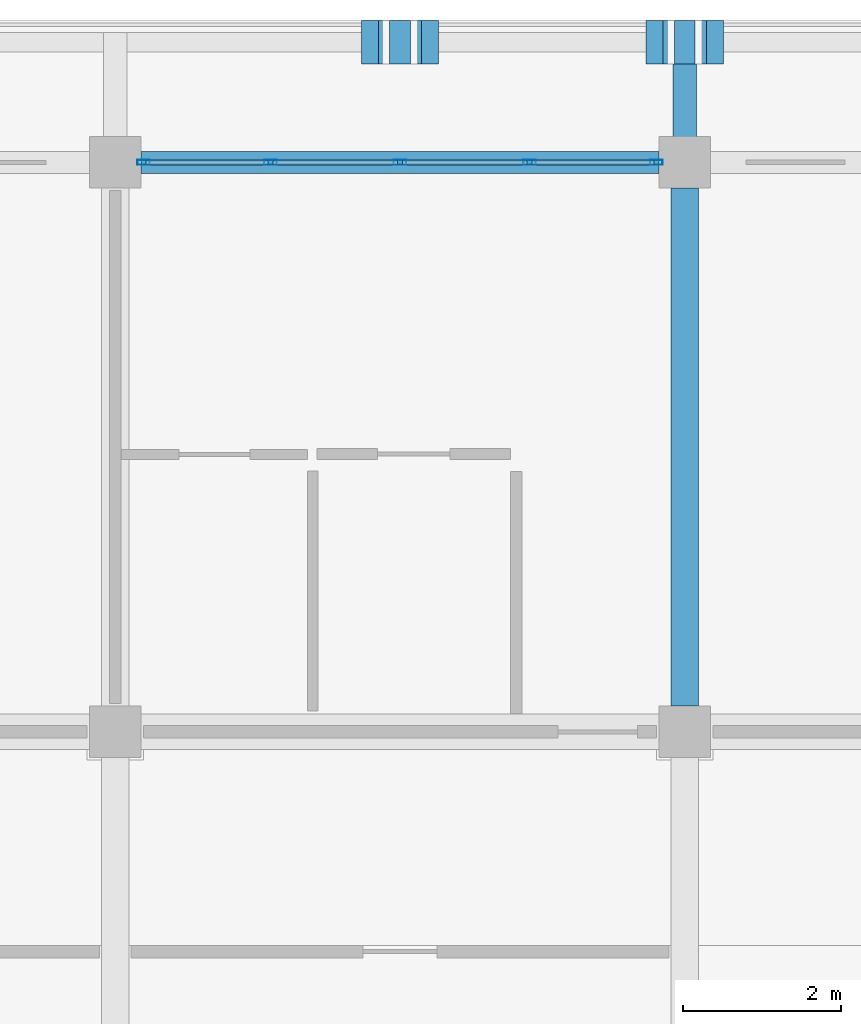
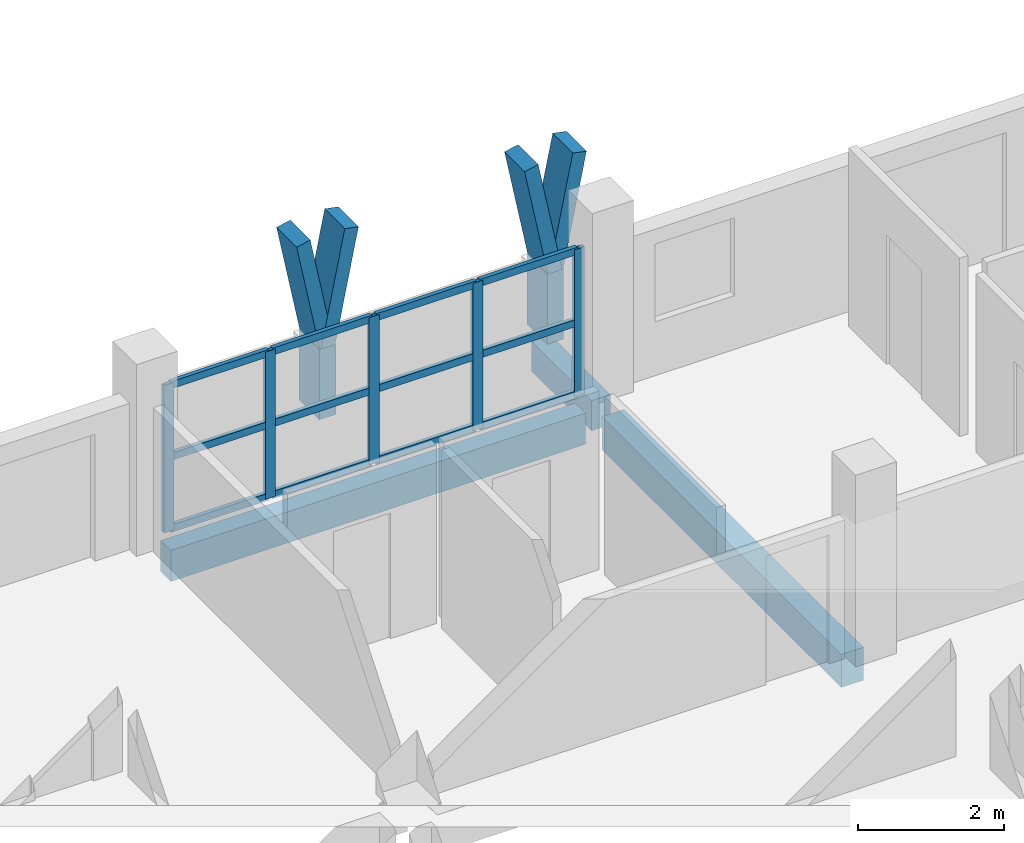
# One storey, part 12 of 76: 23 members, 3 beams, 1 element without a shape of its own.
"""IFC4 building model written with IfcOpenShell, lengths in metres."""

from ifc_helpers import new_model, si_unit, direction, frame, origin, origin_2d, place, context, subcontext, project, spatial, rectangle, hollow_rectangle, extrude, material, material_profile, profile_set, type_object, element, aggregate, save


model = new_model("IFC4")

# Units and contexts
model_context = context("Model", 3, precision=1e-05, world=origin(), true_north=direction((0.0, 1.0)))
body_context = subcontext(model_context, "Body", "Model", "MODEL_VIEW")
ifc_project = project(units=[si_unit("LENGTHUNIT", "METRE"), si_unit("AREAUNIT", "SQUARE_METRE"), si_unit("VOLUMEUNIT", "CUBIC_METRE"), si_unit("PLANEANGLEUNIT", "RADIAN"), si_unit("MASSUNIT", "GRAM", prefix="KILO")], contexts=[model_context])

# Site, building, storey
site_placement = place(None, origin())
site = spatial("IfcSite", under=ifc_project, at=site_placement, CompositionType="ELEMENT")
building_placement = place(site_placement, origin())
building = spatial("IfcBuilding", under=site, at=building_placement, Name="Suanplinth Sawtooth Commons", CompositionType="ELEMENT")
storey_placement = place(building_placement, frame((0.0, 0.0, 12.199951171875)))
storey = spatial("IfcBuildingStorey", under=building, at=storey_placement, Name="L03", CompositionType="ELEMENT", Elevation=12.199951171875)

# Beams
ifc_material_1 = material(Name="Precast concrete C40/50", Category="concrete")
ifc_material_profile_1 = material_profile(ifc_material_1, rectangle(XDim=0.35009765625, YDim=0.550048828125, at=origin_2d()), Name="PC-BM 350x550")
ifc_profile_set_1 = profile_set([ifc_material_profile_1], Name="Precast concrete C40/50")
beam_type_1 = type_object("IfcBeamType", Name="B-06", PredefinedType="BEAM", material=ifc_profile_set_1)
beam_1_placement = place(storey_placement, frame((43.199951171875, 115.52490234375, -0.514892578125), z_axis=(0.0, 1.0, 0.0), x_axis=(-1.0, 0.0, 0.0)))
element("IfcBeam", 1, at=beam_1_placement, inside=storey, type_object=beam_type_1, Name="BMY-L03-A-6-16", PredefinedType="BEAM", context=body_context, shape_type="SweptSolid", body=[
    extrude(rectangle(XDim=0.35009765625, YDim=0.550048828125, at=origin_2d()), origin(), (0.0, 0.0, 1.0), 6.550048828125),
])
ifc_material_profile_2 = material_profile(ifc_material_1, rectangle(XDim=0.300048828125, YDim=0.5, at=origin_2d()), Name="PC-BM 300x500")
ifc_profile_set_2 = profile_set([ifc_material_profile_2], Name="Precast concrete C40/50")
beam_type_2 = type_object("IfcBeamType", Name="B-07", PredefinedType="BEAM", material=ifc_profile_set_2)
beam_2_placement = place(storey_placement, frame((43.199951171875, 122.39990234375, -0.429931640625), z_axis=(0.0, 1.0, 0.0), x_axis=(-1.0, 0.0, 0.0)))
element("IfcBeam", 2, at=beam_2_placement, inside=storey, type_object=beam_type_2, Name="Balcony Outrigger L03-A-N-6", PredefinedType="BEAM", context=body_context, shape_type="SweptSolid", body=[
    extrude(rectangle(XDim=0.300048828125, YDim=0.5, at=origin_2d()), origin(), (0.0, 0.0, 1.0), 1.64013671875),
])
ifc_material_profile_3 = material_profile(ifc_material_1, rectangle(XDim=0.280029296875, YDim=0.52001953125, at=origin_2d()), Name="PC-SP 280x520")
ifc_profile_set_3 = profile_set([ifc_material_profile_3], Name="Precast concrete C40/50")
beam_type_3 = type_object("IfcBeamType", Name="B-08", PredefinedType="SPANDREL", material=ifc_profile_set_3)
beam_3_placement = place(storey_placement, frame((36.324951171875, 122.39990234375, -0.5), z_axis=(1.0, 0.0, 0.0), x_axis=(0.0, 1.0, 0.0)))
element("IfcBeam", 3, at=beam_3_placement, inside=storey, type_object=beam_type_3, Name="BMX-L03-A-5-17", PredefinedType="SPANDREL", context=body_context, shape_type="SweptSolid", body=[
    extrude(rectangle(XDim=0.280029296875, YDim=0.52001953125, at=origin_2d()), origin(), (0.0, 0.0, 1.0), 6.550048828125),
])

# Members
ifc_material_2 = material(Name="Pigmented precast concrete C40/50", Category="concrete")
ifc_material_profile_4 = material_profile(ifc_material_2, rectangle(XDim=0.260009765625, YDim=0.550048828125, at=origin_2d()), Name="PC-FIN 260x550")
ifc_profile_set_4 = profile_set([ifc_material_profile_4], Name="Pigmented precast concrete C40/50")
member_type_1 = type_object("IfcMemberType", Name="M-09", PredefinedType="USERDEFINED", material=ifc_profile_set_4)
for number, where, z_axis, x_axis, name in (
    (4, (39.60009765625, 123.919921875, 0.0), (0.0, 0.0, 1.0), (1.0, 0.0, 0.0), "Y-Blade Stem L03-A-N-04"),
    (5, (43.199951171875, 123.919921875, 0.0), (0.0, 0.0, 1.0), (1.0, 0.0, 0.0), "Y-Blade Stem L03-A-N-05"),
):
    element("IfcMember", number, at=place(storey_placement, frame(where, z_axis=z_axis, x_axis=x_axis)), inside=storey, type_object=member_type_1, Name=name, ObjectType="SHADING FIN", PredefinedType="USERDEFINED", context=body_context, shape_type="SweptSolid", body=[
        extrude(rectangle(XDim=0.260009765625, YDim=0.550048828125, at=origin_2d()), origin(), (0.0, 0.0, 1.0), 1.170166015625),
    ])
ifc_material_profile_5 = material_profile(ifc_material_2, rectangle(XDim=0.219970703125, YDim=0.550048828125, at=origin_2d()), Name="PC-FIN 220x550")
ifc_profile_set_5 = profile_set([ifc_material_profile_5], Name="Pigmented precast concrete C40/50")
member_type_2 = type_object("IfcMemberType", Name="M-10", PredefinedType="USERDEFINED", material=ifc_profile_set_5)
member_1_placement = place(storey_placement, frame((39.60009765625, 123.919921875, 1.130126953125), z_axis=(-0.196431120402, 0.0, 0.980517626021), x_axis=(0.980517626021, 0.0, 0.196431120402)))
element("IfcMember", 6, at=member_1_placement, inside=storey, type_object=member_type_2, Name="Y-Blade Arm L L03-A-N-04", ObjectType="SHADING FIN", PredefinedType="USERDEFINED", context=body_context, shape_type="SweptSolid", body=[
    extrude(rectangle(XDim=0.219970703125, YDim=0.550048828125, at=origin_2d()), origin(), (0.0, 0.0, 1.0), 1.937744140625),
])
for number, where, z_axis, x_axis, name in (
    (7, (39.60009765625, 123.919921875, 1.130126953125), (0.196309979414, 0.0, 0.980541886909), (-0.980541886909, 0.0, 0.196309979414), "Y-Blade Arm R L03-A-N-04"),
    (8, (43.199951171875, 123.919921875, 1.130126953125), (-0.196309979414, 0.0, 0.980541886909), (0.980541886909, 0.0, 0.196309979414), "Y-Blade Arm L L03-A-N-05"),
):
    element("IfcMember", number, at=place(storey_placement, frame(where, z_axis=z_axis, x_axis=x_axis)), inside=storey, type_object=member_type_2, Name=name, ObjectType="SHADING FIN", PredefinedType="USERDEFINED", context=body_context, shape_type="SweptSolid", body=[
        extrude(rectangle(XDim=0.219970703125, YDim=0.550048828125, at=origin_2d()), origin(), (0.0, 0.0, 1.0), 1.9375),
    ])
member_2_placement = place(storey_placement, frame((43.199951171875, 123.919921875, 1.130126953125), z_axis=(0.196431120402, 0.0, 0.980517626021), x_axis=(-0.980517626021, 0.0, 0.196431120402)))
element("IfcMember", 9, at=member_2_placement, inside=storey, type_object=member_type_2, Name="Y-Blade Arm R L03-A-N-05", ObjectType="SHADING FIN", PredefinedType="USERDEFINED", context=body_context, shape_type="SweptSolid", body=[
    extrude(rectangle(XDim=0.219970703125, YDim=0.550048828125, at=origin_2d()), origin(), (0.0, 0.0, 1.0), 1.937744140625),
])

# Curtain wall, members
ifc_material_3 = material(Name="Anodized aluminium and low-E glazing", Category="aluminium")
curtain_wall_type = type_object("IfcCurtainWallType", Name="CW-06", PredefinedType="USERDEFINED", material=ifc_material_3)
curtain_wall_placement = place(storey_placement, origin())
curtain_wall = element("IfcCurtainWall", 10, at=curtain_wall_placement, inside=storey, type_object=curtain_wall_type, Name="Curtain Wall CW-L03-A-LOUNGE-5", ObjectType="CURTAIN WALL", PredefinedType="USERDEFINED")
ifc_material_4 = material(Name="Anodized aluminium 6063-T6", Category="aluminium")
ifc_material_profile_6 = material_profile(ifc_material_4, hollow_rectangle(XDim=0.06494140625, YDim=0.159912109375, WallThickness=0.00390625, at=origin_2d()), Name="ALU-MUL 65x160")
ifc_profile_set_6 = profile_set([ifc_material_profile_6], Name="Anodized aluminium 6063-T6")
member_type_3 = type_object("IfcMemberType", Name="M-13", PredefinedType="MULLION", material=ifc_profile_set_6)
member_3_placement = place(storey_placement, frame((36.357421875, 122.39990234375, 0.0), z_axis=(0.0, 0.0, 1.0), x_axis=(0.0, 1.0, 0.0)))
member_3 = element("IfcMember", 11, at=member_3_placement, type_object=member_type_3, Name="CW-06 mullion 1", PredefinedType="MULLION", context=body_context, shape_type="SweptSolid", body=[
    extrude(hollow_rectangle(XDim=0.06494140625, YDim=0.159912109375, WallThickness=0.00390625, at=origin_2d()), origin(), (0.0, 0.0, 1.0), 2.4599609375),
])
member_4_placement = place(storey_placement, frame((37.96240234375, 122.39990234375, 0.0), z_axis=(0.0, 0.0, 1.0), x_axis=(0.0, 1.0, 0.0)))
member_4 = element("IfcMember", 12, at=member_4_placement, type_object=member_type_3, Name="CW-06 mullion 2", PredefinedType="MULLION", context=body_context, shape_type="SweptSolid", body=[
    extrude(hollow_rectangle(XDim=0.06494140625, YDim=0.159912109375, WallThickness=0.00390625, at=origin_2d()), origin(), (0.0, 0.0, 1.0), 2.4599609375),
])
member_5_placement = place(storey_placement, frame((39.60009765625, 122.39990234375, 0.0), z_axis=(0.0, 0.0, 1.0), x_axis=(0.0, 1.0, 0.0)))
member_5 = element("IfcMember", 13, at=member_5_placement, type_object=member_type_3, Name="CW-06 mullion 3", PredefinedType="MULLION", context=body_context, shape_type="SweptSolid", body=[
    extrude(hollow_rectangle(XDim=0.06494140625, YDim=0.159912109375, WallThickness=0.00390625, at=origin_2d()), origin(), (0.0, 0.0, 1.0), 2.4599609375),
])
member_6_placement = place(storey_placement, frame((41.237548828125, 122.39990234375, 0.0), z_axis=(0.0, 0.0, 1.0), x_axis=(0.0, 1.0, 0.0)))
member_6 = element("IfcMember", 14, at=member_6_placement, type_object=member_type_3, Name="CW-06 mullion 4", PredefinedType="MULLION", context=body_context, shape_type="SweptSolid", body=[
    extrude(hollow_rectangle(XDim=0.06494140625, YDim=0.159912109375, WallThickness=0.00390625, at=origin_2d()), origin(), (0.0, 0.0, 1.0), 2.4599609375),
])
member_7_placement = place(storey_placement, frame((42.842529296875, 122.39990234375, 0.0), z_axis=(0.0, 0.0, 1.0), x_axis=(0.0, 1.0, 0.0)))
member_7 = element("IfcMember", 15, at=member_7_placement, type_object=member_type_3, Name="CW-06 mullion 5", PredefinedType="MULLION", context=body_context, shape_type="SweptSolid", body=[
    extrude(hollow_rectangle(XDim=0.06494140625, YDim=0.159912109375, WallThickness=0.00390625, at=origin_2d()), origin(), (0.0, 0.0, 1.0), 2.4599609375),
])
ifc_material_profile_7 = material_profile(ifc_material_4, hollow_rectangle(XDim=0.06494140625, YDim=0.1201171875, WallThickness=0.00390625, at=origin_2d()), Name="ALU-TRN 65x120")
ifc_profile_set_7 = profile_set([ifc_material_profile_7], Name="Anodized aluminium 6063-T6")
member_type_4 = type_object("IfcMemberType", Name="M-15", PredefinedType="USERDEFINED", material=ifc_profile_set_7)
member_8_placement = place(storey_placement, frame((36.389892578125, 122.39990234375, 0.032470703125), z_axis=(1.0, 0.0, 0.0), x_axis=(0.0, 1.0, 0.0)))
member_8 = element("IfcMember", 16, at=member_8_placement, type_object=member_type_4, Name="CW-06 transom 1.1", ObjectType="TRANSOM", PredefinedType="USERDEFINED", context=body_context, shape_type="SweptSolid", body=[
    extrude(hollow_rectangle(XDim=0.06494140625, YDim=0.1201171875, WallThickness=0.00390625, at=origin_2d()), origin(), (0.0, 0.0, 1.0), 1.5400390625),
])
member_9_placement = place(storey_placement, frame((36.389892578125, 122.39990234375, 1.22998046875), z_axis=(1.0, 0.0, 0.0), x_axis=(0.0, 1.0, 0.0)))
member_9 = element("IfcMember", 17, at=member_9_placement, type_object=member_type_4, Name="CW-06 transom 1.2", ObjectType="TRANSOM", PredefinedType="USERDEFINED", context=body_context, shape_type="SweptSolid", body=[
    extrude(hollow_rectangle(XDim=0.06494140625, YDim=0.1201171875, WallThickness=0.00390625, at=origin_2d()), origin(), (0.0, 0.0, 1.0), 1.5400390625),
])
member_10_placement = place(storey_placement, frame((36.389892578125, 122.39990234375, 2.427490234375), z_axis=(1.0, 0.0, 0.0), x_axis=(0.0, 1.0, 0.0)))
member_10 = element("IfcMember", 18, at=member_10_placement, type_object=member_type_4, Name="CW-06 transom 1.3", ObjectType="TRANSOM", PredefinedType="USERDEFINED", context=body_context, shape_type="SweptSolid", body=[
    extrude(hollow_rectangle(XDim=0.06494140625, YDim=0.1201171875, WallThickness=0.00390625, at=origin_2d()), origin(), (0.0, 0.0, 1.0), 1.5400390625),
])
member_11_placement = place(storey_placement, frame((37.9951171875, 122.39990234375, 0.032470703125), z_axis=(1.0, 0.0, 0.0), x_axis=(0.0, 1.0, 0.0)))
member_11 = element("IfcMember", 19, at=member_11_placement, type_object=member_type_4, Name="CW-06 transom 2.1", ObjectType="TRANSOM", PredefinedType="USERDEFINED", context=body_context, shape_type="SweptSolid", body=[
    extrude(hollow_rectangle(XDim=0.06494140625, YDim=0.1201171875, WallThickness=0.00390625, at=origin_2d()), origin(), (0.0, 0.0, 1.0), 1.572265625),
])
member_12_placement = place(storey_placement, frame((37.9951171875, 122.39990234375, 1.22998046875), z_axis=(1.0, 0.0, 0.0), x_axis=(0.0, 1.0, 0.0)))
member_12 = element("IfcMember", 20, at=member_12_placement, type_object=member_type_4, Name="CW-06 transom 2.2", ObjectType="TRANSOM", PredefinedType="USERDEFINED", context=body_context, shape_type="SweptSolid", body=[
    extrude(hollow_rectangle(XDim=0.06494140625, YDim=0.1201171875, WallThickness=0.00390625, at=origin_2d()), origin(), (0.0, 0.0, 1.0), 1.572265625),
])
member_13_placement = place(storey_placement, frame((37.9951171875, 122.39990234375, 2.427490234375), z_axis=(1.0, 0.0, 0.0), x_axis=(0.0, 1.0, 0.0)))
member_13 = element("IfcMember", 21, at=member_13_placement, type_object=member_type_4, Name="CW-06 transom 2.3", ObjectType="TRANSOM", PredefinedType="USERDEFINED", context=body_context, shape_type="SweptSolid", body=[
    extrude(hollow_rectangle(XDim=0.06494140625, YDim=0.1201171875, WallThickness=0.00390625, at=origin_2d()), origin(), (0.0, 0.0, 1.0), 1.572265625),
])
member_14_placement = place(storey_placement, frame((39.632568359375, 122.39990234375, 0.032470703125), z_axis=(1.0, 0.0, 0.0), x_axis=(0.0, 1.0, 0.0)))
member_14 = element("IfcMember", 22, at=member_14_placement, type_object=member_type_4, Name="CW-06 transom 3.1", ObjectType="TRANSOM", PredefinedType="USERDEFINED", context=body_context, shape_type="SweptSolid", body=[
    extrude(hollow_rectangle(XDim=0.06494140625, YDim=0.1201171875, WallThickness=0.00390625, at=origin_2d()), origin(), (0.0, 0.0, 1.0), 1.572509765625),
])
member_15_placement = place(storey_placement, frame((39.632568359375, 122.39990234375, 1.22998046875), z_axis=(1.0, 0.0, 0.0), x_axis=(0.0, 1.0, 0.0)))
member_15 = element("IfcMember", 23, at=member_15_placement, type_object=member_type_4, Name="CW-06 transom 3.2", ObjectType="TRANSOM", PredefinedType="USERDEFINED", context=body_context, shape_type="SweptSolid", body=[
    extrude(hollow_rectangle(XDim=0.06494140625, YDim=0.1201171875, WallThickness=0.00390625, at=origin_2d()), origin(), (0.0, 0.0, 1.0), 1.572509765625),
])
member_16_placement = place(storey_placement, frame((39.632568359375, 122.39990234375, 2.427490234375), z_axis=(1.0, 0.0, 0.0), x_axis=(0.0, 1.0, 0.0)))
member_16 = element("IfcMember", 24, at=member_16_placement, type_object=member_type_4, Name="CW-06 transom 3.3", ObjectType="TRANSOM", PredefinedType="USERDEFINED", context=body_context, shape_type="SweptSolid", body=[
    extrude(hollow_rectangle(XDim=0.06494140625, YDim=0.1201171875, WallThickness=0.00390625, at=origin_2d()), origin(), (0.0, 0.0, 1.0), 1.572509765625),
])
member_17_placement = place(storey_placement, frame((41.27001953125, 122.39990234375, 0.032470703125), z_axis=(1.0, 0.0, 0.0), x_axis=(0.0, 1.0, 0.0)))
member_17 = element("IfcMember", 25, at=member_17_placement, type_object=member_type_4, Name="CW-06 transom 4.1", ObjectType="TRANSOM", PredefinedType="USERDEFINED", context=body_context, shape_type="SweptSolid", body=[
    extrude(hollow_rectangle(XDim=0.06494140625, YDim=0.1201171875, WallThickness=0.00390625, at=origin_2d()), origin(), (0.0, 0.0, 1.0), 1.5400390625),
])
member_18_placement = place(storey_placement, frame((41.27001953125, 122.39990234375, 1.22998046875), z_axis=(1.0, 0.0, 0.0), x_axis=(0.0, 1.0, 0.0)))
member_18 = element("IfcMember", 26, at=member_18_placement, type_object=member_type_4, Name="CW-06 transom 4.2", ObjectType="TRANSOM", PredefinedType="USERDEFINED", context=body_context, shape_type="SweptSolid", body=[
    extrude(hollow_rectangle(XDim=0.06494140625, YDim=0.1201171875, WallThickness=0.00390625, at=origin_2d()), origin(), (0.0, 0.0, 1.0), 1.5400390625),
])
member_19_placement = place(storey_placement, frame((41.27001953125, 122.39990234375, 2.427490234375), z_axis=(1.0, 0.0, 0.0), x_axis=(0.0, 1.0, 0.0)))
member_19 = element("IfcMember", 27, at=member_19_placement, type_object=member_type_4, Name="CW-06 transom 4.3", ObjectType="TRANSOM", PredefinedType="USERDEFINED", context=body_context, shape_type="SweptSolid", body=[
    extrude(hollow_rectangle(XDim=0.06494140625, YDim=0.1201171875, WallThickness=0.00390625, at=origin_2d()), origin(), (0.0, 0.0, 1.0), 1.5400390625),
])
aggregate(curtain_wall, [member_3, member_4, member_5, member_6, member_7, member_8, member_9, member_10, member_11, member_12, member_13, member_14, member_15, member_16, member_17, member_18, member_19])

save(model, "model.ifc")
